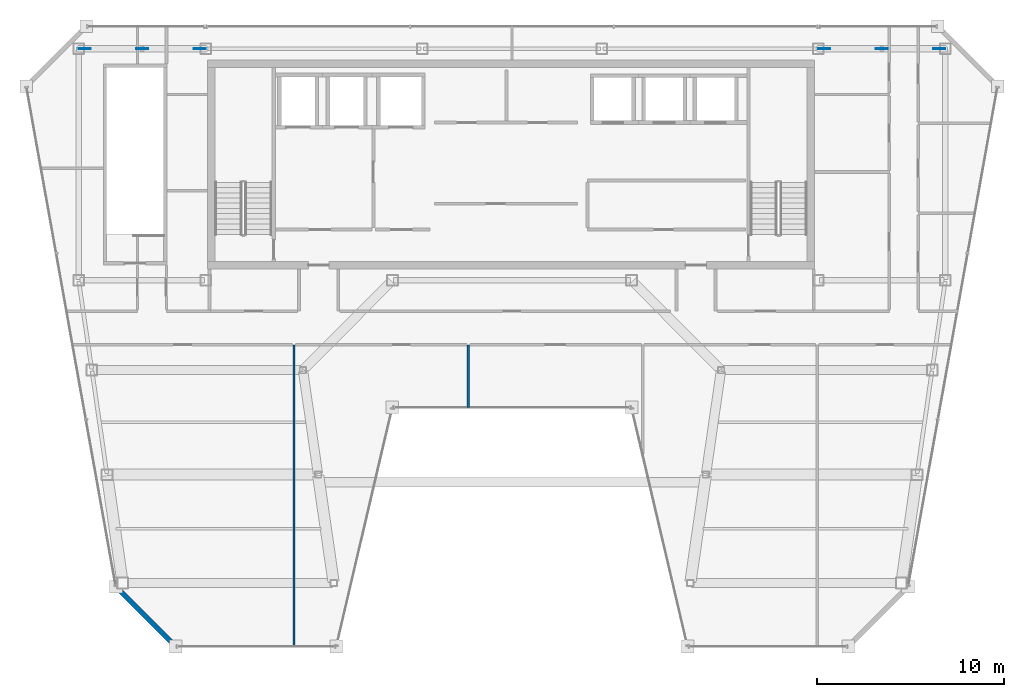
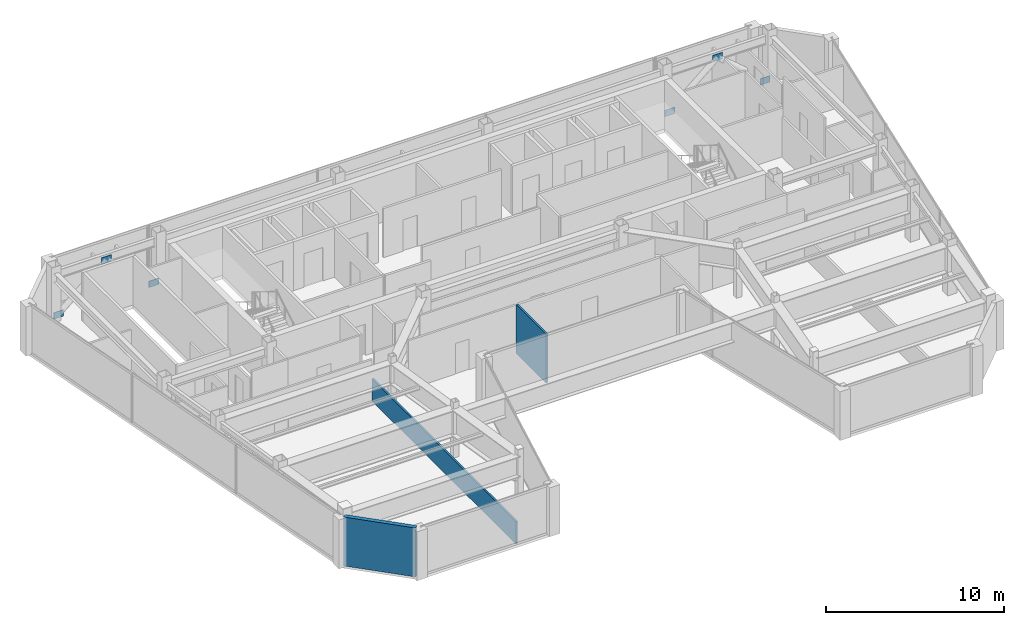
# One storey, part 24 of 30: 6 plates, 3 walls.
"""IFC4 building model written with IfcOpenShell, lengths in metres."""

from ifc_helpers import new_model, si_unit, direction, frame, frame_2d, origin, origin_2d, place, context, subcontext, project, spatial, rectangle, extrude, material, layer, layer_set, type_object, element, save


model = new_model("IFC4")

# Units and contexts
model_context = context("Model", 3, precision=1e-05, world=origin(), true_north=direction((0.0, 1.0)))
body_context = subcontext(model_context, "Body", "Model", "MODEL_VIEW")
ifc_project = project(units=[si_unit("LENGTHUNIT", "METRE"), si_unit("AREAUNIT", "SQUARE_METRE"), si_unit("VOLUMEUNIT", "CUBIC_METRE"), si_unit("PLANEANGLEUNIT", "RADIAN"), si_unit("MASSUNIT", "GRAM", prefix="KILO")], contexts=[model_context])

# Site, building, storey
site_placement = place(None, origin())
site = spatial("IfcSite", under=ifc_project, at=site_placement, CompositionType="ELEMENT")
building_placement = place(site_placement, origin())
building = spatial("IfcBuilding", under=site, at=building_placement, Name="Saevonmaru Cultural Tower", CompositionType="ELEMENT")
storey_placement = place(building_placement, frame((0.0, 0.0, 272.39990234375)))
storey = spatial("IfcBuildingStorey", under=building, at=storey_placement, Name="L64", CompositionType="ELEMENT", Elevation=272.39990234375)

# Plates
ifc_material_1 = material(Name="Steel HSA600 (600 MPa)", Category="steel")
ifc_layer_1 = layer(ifc_material_1, 0.0400390625, Name="Steel HSA600 (600 MPa)")
ifc_layer_set_1 = layer_set([ifc_layer_1], Name="Steel HSA600 (600 MPa)")
plate_type = type_object("IfcPlateType", Name="PL-GUSSET-EXT", PredefinedType="USERDEFINED", material=ifc_layer_set_1)
for number, where, z_axis, x_axis, name in (
    (1, (10.199951171875, 54.800048828125, 2.7001953125), (0.0, 0.0, 1.0), (1.0, 0.0, 0.0), "L64 Perimeter Tube Gusset Plate"),
    (2, (7.1201171875, 54.800048828125, 0.02001953125), (0.0, 0.0, 1.0), (1.0, 0.0, 0.0), "L64 Perimeter Tube Gusset Plate"),
    (3, (13.280029296875, 54.800048828125, 0.02001953125), (0.0, 0.0, 1.0), (1.0, 0.0, 0.0), "L64 Perimeter Tube Gusset Plate"),
    (4, (49.800048828125, 54.800048828125, 2.7001953125), (0.0, 0.0, 1.0), (1.0, 0.0, 0.0), "L64 Perimeter Tube Gusset Plate"),
    (5, (46.719970703125, 54.800048828125, 0.02001953125), (0.0, 0.0, 1.0), (1.0, 0.0, 0.0), "L64 Perimeter Tube Gusset Plate"),
    (6, (52.8798828125, 54.800048828125, 0.02001953125), (0.0, 0.0, 1.0), (1.0, 0.0, 0.0), "L64 Perimeter Tube Gusset Plate"),
):
    element("IfcPlate", number, at=place(storey_placement, frame(where, z_axis=z_axis, x_axis=x_axis)), inside=storey, type_object=plate_type, Name=name, ObjectType="GUSSET_PLATE", PredefinedType="USERDEFINED", context=body_context, shape_type="SweptSolid", body=[
        extrude(rectangle(XDim=0.639892578125, YDim=0.0400390625, at=origin_2d()), origin(), (0.0, 0.0, 1.0), 0.43994140625),
    ])

# Walls
ifc_material_2 = material(Name="Granite-Clad Precast Concrete C40/50", Category="masonry")
ifc_layer_2 = layer(ifc_material_2, 0.260009765625, Name="Granite-Clad Precast Concrete C40/50")
ifc_layer_set_2 = layer_set([ifc_layer_2], Name="Granite-Clad Precast Concrete C40/50")
wall_type_1 = type_object("IfcWallType", Name="WL-EXT-SPANDREL-260", PredefinedType="STANDARD", material=ifc_layer_set_2)
wall_1_placement = place(storey_placement, frame((8.90869140625, 25.886962890625, 0.0), z_axis=(0.0, 0.0, 1.0), x_axis=(0.707106781187, -0.707106781187, 0.0)))
element("IfcWall", 7, at=wall_1_placement, inside=storey, type_object=wall_type_1, Name="L64 Chamfer Corner Spandrel Wall E1", PredefinedType="STANDARD", context=body_context, shape_type="SweptSolid", body=[
    extrude(rectangle(XDim=4.205810546875, YDim=0.260009765625, at=frame_2d((2.10302734375, 0.0))), origin(), (0.0, 0.0, 1.0), 3.35009765625),
])
ifc_material_3 = material(Name="Gypsum Fireboard Partition", Category="gypsum")
ifc_layer_3 = layer(ifc_material_3, 0.1201171875, Name="Gypsum Fireboard Partition")
ifc_layer_set_3 = layer_set([ifc_layer_3], Name="Gypsum Fireboard Partition")
wall_type_2 = type_object("IfcWallType", Name="WL-PART-GYP-120", PredefinedType="PARTITIONING", material=ifc_layer_set_3)
wall_2_placement = place(storey_placement, frame((18.330078125, 22.804931640625, 0.0), z_axis=(0.0, 0.0, 1.0), x_axis=(0.0, 1.0, 0.0)))
element("IfcWall", 8, at=wall_2_placement, inside=storey, type_object=wall_type_2, Name="L64 Observatory Bay Divider 1", PredefinedType="PARTITIONING", context=body_context, shape_type="SweptSolid", body=[
    extrude(rectangle(XDim=16.14501953125, YDim=0.1201171875, at=frame_2d((8.072509765625, 0.0))), origin(), (0.0, 0.0, 1.0), 1.53515625),
])
ifc_layer_4 = layer(ifc_material_3, 0.135009765625, Name="Gypsum Fireboard Partition")
ifc_layer_set_4 = layer_set([ifc_layer_4], Name="Gypsum Fireboard Partition")
wall_type_3 = type_object("IfcWallType", Name="WL-PART-GYP-135", PredefinedType="PARTITIONING", material=ifc_layer_set_4)
wall_3_placement = place(storey_placement, frame((27.669921875, 35.60498046875, 0.0), z_axis=(0.0, 0.0, 1.0), x_axis=(0.0, 1.0, 0.0)))
element("IfcWall", 9, at=wall_3_placement, inside=storey, type_object=wall_type_3, Name="L64 Observatory Bay Divider 2", PredefinedType="PARTITIONING", context=body_context, shape_type="SweptSolid", body=[
    extrude(rectangle(XDim=3.344970703125, YDim=0.135009765625, at=frame_2d((1.67236328125, 0.0))), origin(), (0.0, 0.0, 1.0), 3.35009765625),
])

save(model, "model.ifc")
